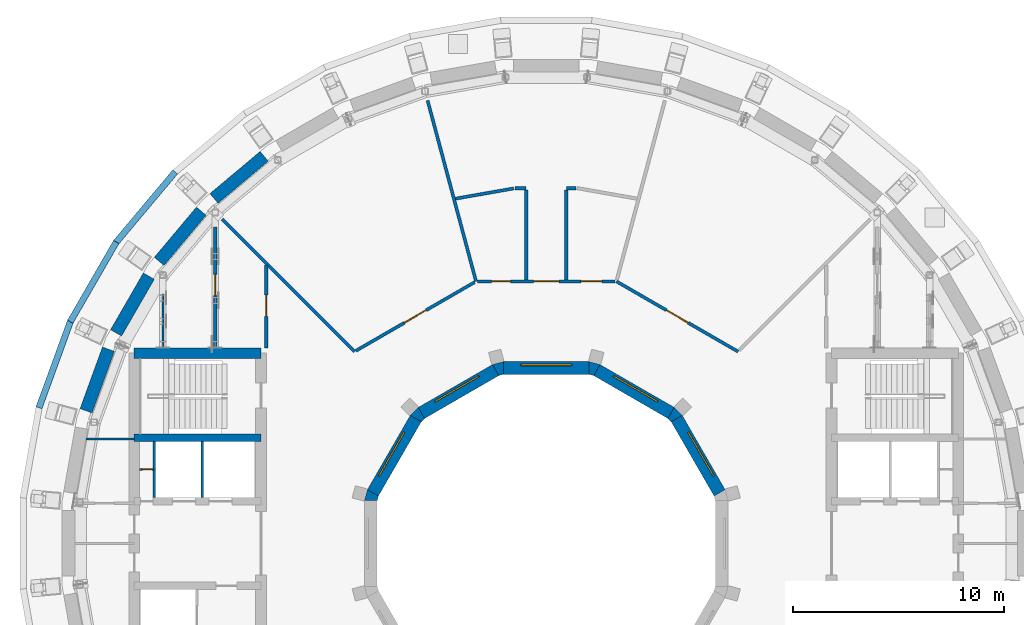
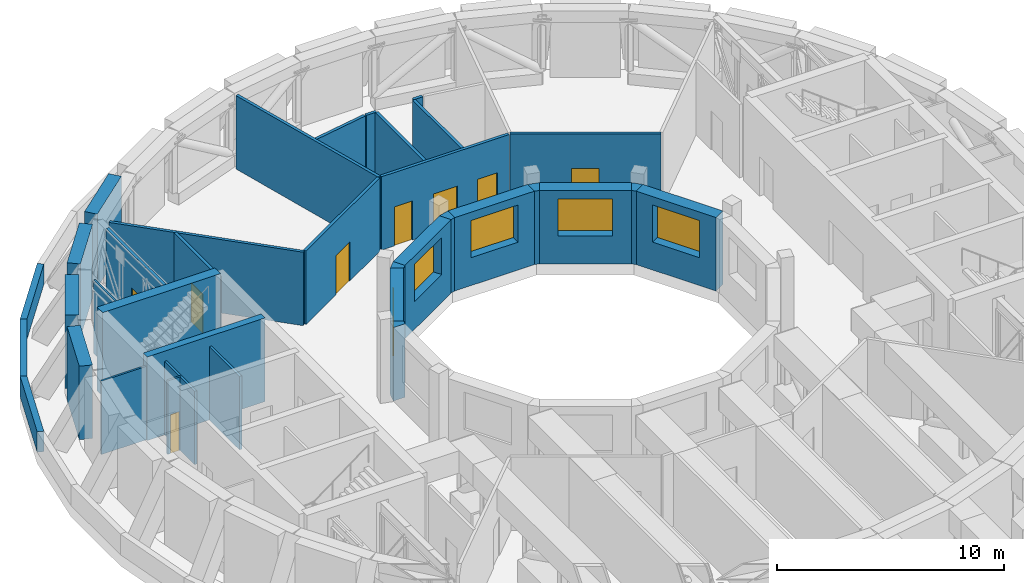
# One storey, part 14 of 20: 36 walls, 8 doors, 5 windows, 13 openings.
"""IFC4 building model written with IfcOpenShell, lengths in metres."""

from ifc_helpers import new_model, si_unit, direction, frame, frame_2d, origin, place, context, subcontext, project, spatial, polyline, rectangle, outline, extrude, material, layer, layer_set, type_object, element, fill, save


model = new_model("IFC4")

# Units and contexts
model_context = context("Model", 3, precision=1e-05, world=origin(), true_north=direction((0.0, 1.0)))
body_context = subcontext(model_context, "Body", "Model", "MODEL_VIEW")
ifc_project = project(units=[si_unit("LENGTHUNIT", "METRE"), si_unit("AREAUNIT", "SQUARE_METRE"), si_unit("VOLUMEUNIT", "CUBIC_METRE"), si_unit("PLANEANGLEUNIT", "RADIAN"), si_unit("MASSUNIT", "GRAM", prefix="KILO")], contexts=[model_context])

# Site, building, storey
site_placement = place(None, origin())
site = spatial("IfcSite", under=ifc_project, at=site_placement, CompositionType="ELEMENT")
building_placement = place(site_placement, origin())
building = spatial("IfcBuilding", under=site, at=building_placement, Name="Saqina Gate Tower", CompositionType="ELEMENT")
storey_placement = place(building_placement, frame((0.0, 0.0, 220.199951171875)))
storey = spatial("IfcBuildingStorey", under=building, at=storey_placement, Name="L63", CompositionType="ELEMENT", Elevation=220.199951171875)

# Wall, opening, door
ifc_material_1 = material(Name="Gypsum board on steel studs", Category="steel")
ifc_layer_1 = layer(ifc_material_1, 0.10009765625)
ifc_layer_set_1 = layer_set([ifc_layer_1], Name="CORE PARTITION")
wall_type_1 = type_object("IfcWallType", Name="CORE PARTITION", PredefinedType="PARTITIONING", material=ifc_layer_set_1)
wall_1_placement = place(storey_placement, frame((-18.56005859375, 3.5, 0.0), z_axis=(0.0, 0.0, 1.0), x_axis=(-1.0, 0.0, 0.0)))
wall_1 = element("IfcWall", 1, at=wall_1_placement, inside=storey, type_object=wall_type_1, Name="L63-CP-W01", PredefinedType="PARTITIONING", context=body_context, shape_type="SweptSolid", body=[
    extrude(rectangle(XDim=0.68994140625, YDim=0.10009765625, at=frame_2d((0.344970703125, 0.0))), origin(), (0.0, 0.0, 1.0), 3.949951171875),
])
opening_1_placement = place(wall_1_placement, frame((0.10009765625, 0.0, 0.0)))
opening_1 = element("IfcOpeningElement", 2, at=opening_1_placement, cuts=wall_1, Name="Opening L63-D105", PredefinedType="OPENING", context=body_context, shape_type="SweptSolid", body=[
    extrude(rectangle(XDim=0.449951171875, YDim=2.10009765625, at=frame_2d((0.22509765625, 1.050048828125))), frame((0.0, 0.06201171875, 0.0), z_axis=(0.0, -1.0, 0.0), x_axis=(1.0, 0.0, 0.0)), (0.0, 0.0, 1.0), 0.1240234375),
])
ifc_material_2 = material(Name="Steel-framed fire door leaf, EI 60", Category="steel")
door_type_1 = type_object("IfcDoorType", Name="SERVICE ROOM DOOR 450", OperationType="SINGLE_SWING_LEFT", PredefinedType="DOOR", material=ifc_material_2)
door_1_placement = place(opening_1_placement, origin())
door_1 = element("IfcDoor", 3, at=door_1_placement, inside=storey, type_object=door_type_1, Name="L63-CD-W16", OperationType="SINGLE_SWING_RIGHT", OverallHeight=2.10009765625, OverallWidth=0.449951171875, PredefinedType="DOOR", context=body_context, shape_type="SweptSolid", body=[
    extrude(rectangle(XDim=0.449951171875, YDim=2.10009765625, at=frame_2d((0.22509765625, 1.050048828125))), frame((0.0, 0.02490234375, 0.0), z_axis=(0.0, -1.0, 0.0), x_axis=(1.0, 0.0, 0.0)), (0.0, 0.0, 1.0), 0.050048828125),
])
fill(opening_1, door_1)

# Walls
wall_2_placement = place(storey_placement, frame((-19.5, 4.949951171875, 0.0), z_axis=(0.0, 0.0, 1.0), x_axis=(-1.0, 0.0, 0.0)))
element("IfcWall", 4, at=wall_2_placement, inside=storey, type_object=wall_type_1, Name="L63-CP-W02", PredefinedType="PARTITIONING", context=body_context, shape_type="SweptSolid", body=[
    extrude(rectangle(XDim=2.283935546875, YDim=0.10009765625, at=frame_2d((1.14208984375, 0.0))), origin(), (0.0, 0.0, 1.0), 3.949951171875),
])
ifc_material_3 = material(Name="Brick masonry (buff)", Category="masonry")
ifc_layer_2 = layer(ifc_material_3, 0.60009765625)
ifc_layer_set_2 = layer_set([ifc_layer_2], Name="FW-BRICK-BUFF")
wall_type_2 = type_object("IfcWallType", Name="FW-BRICK-BUFF", PredefinedType="SOLIDWALL", material=ifc_layer_set_2)
for number, where, z_axis, x_axis, name in (
    (5, (-13.34716796875, 18.31884765625, 0.0), (0.0, 0.0, 1.0), (-0.766055239099, -0.642774743319, 0.0), "Facade wall L63 facet 13"),
    (6, (-16.325439453125, 15.722900390625, 0.0), (0.0, 0.0, 1.0), (-0.642774743319, -0.766055239099, 0.0), "Facade wall L63 facet 14"),
    (7, (-18.8076171875, 12.649169921875, 0.0), (0.0, 0.0, 1.0), (-0.499974592989, -0.866040072032, 0.0), "Facade wall L63 facet 15"),
):
    element("IfcWall", number, at=place(storey_placement, frame(where, z_axis=z_axis, x_axis=x_axis)), inside=storey, type_object=wall_type_2, Name=name, PredefinedType="SOLIDWALL", context=body_context, shape_type="SweptSolid", body=[
        extrude(rectangle(XDim=3.101318359375, YDim=0.60009765625, at=frame_2d((1.55078125, 0.0))), origin(), (0.0, 0.0, 1.0), 3.949951171875),
    ])
ifc_material_4 = material(Name="Glazed ceramic tile", Category="ceramic")
ifc_layer_3 = layer(ifc_material_4, 0.60009765625)
ifc_layer_set_3 = layer_set([ifc_layer_3], Name="FW-TILE")
wall_type_3 = type_object("IfcWallType", Name="FW-TILE", PredefinedType="SOLIDWALL", material=ifc_layer_set_3)
wall_3_placement = place(storey_placement, frame((-20.718505859375, 9.19091796875, 0.0), z_axis=(0.0, 0.0, 1.0), x_axis=(-0.341995900855, -0.93970144397, 0.0)))
element("IfcWall", 8, at=wall_3_placement, inside=storey, type_object=wall_type_3, Name="Facade wall L63 facet 16", PredefinedType="SOLIDWALL", context=body_context, shape_type="SweptSolid", body=[
    extrude(rectangle(XDim=3.10107421875, YDim=0.60009765625, at=frame_2d((1.550537109375, 0.0))), origin(), (0.0, 0.0, 1.0), 3.949951171875),
])

# Wall, opening, window
ifc_material_5 = material(Name="Glazed ceramic tile", Category="ceramic")
ifc_layer_4 = layer(ifc_material_5, 0.60009765625)
ifc_layer_set_4 = layer_set([ifc_layer_4], Name="IW-TILE")
wall_type_4 = type_object("IfcWallType", Name="IW-TILE", PredefinedType="SOLIDWALL", material=ifc_layer_set_4)
wall_4_placement = place(storey_placement, frame((8.20263671875, 2.392578125, 0.0), z_axis=(0.0, 0.0, 1.0), x_axis=(-0.499994954979, 0.866028316509, 0.0)))
wall_4 = element("IfcWall", 9, at=wall_4_placement, inside=storey, type_object=wall_type_4, Name="Well wall L63 facet 1", PredefinedType="SOLIDWALL", context=body_context, shape_type="SweptSolid", body=[
    extrude(rectangle(XDim=4.05859375, YDim=0.60009765625, at=frame_2d((2.029296875, 0.0))), origin(), (0.0, 0.0, 1.0), 3.949951171875),
])
opening_2_placement = place(wall_4_placement, frame((0.829345703125, 0.0, 1.5)))
opening_2 = element("IfcOpeningElement", 10, at=opening_2_placement, cuts=wall_4, Name="Opening L63-W01", PredefinedType="OPENING", context=body_context, shape_type="SweptSolid", body=[
    extrude(rectangle(XDim=2.39990234375, YDim=2.0, at=frame_2d((1.199951171875, 1.0))), frame((0.0, 0.31201171875, 0.0), z_axis=(0.0, -1.0, 0.0), x_axis=(1.0, 0.0, 0.0)), (0.0, 0.0, 1.0), 0.6240234375),
])
ifc_material_6 = material(Name="Aluminium glazing", Category="aluminium")
window_type = type_object("IfcWindowType", Name="WN-P", PartitioningType="SINGLE_PANEL", PredefinedType="WINDOW", material=ifc_material_6)
window_1_placement = place(opening_2_placement, origin())
window_1 = element("IfcWindow", 11, at=window_1_placement, inside=storey, type_object=window_type, Name="Well window L63 facet 1", OverallHeight=2.0, OverallWidth=2.39990234375, PartitioningType="SINGLE_PANEL", PredefinedType="WINDOW", context=body_context, shape_type="SweptSolid", body=[
    extrude(rectangle(XDim=2.39990234375, YDim=2.0, at=frame_2d((1.199951171875, 1.0))), frame((0.0, -0.119873046875, 0.0), z_axis=(0.0, -1.0, 0.0), x_axis=(1.0, 0.0, 0.0)), (0.0, 0.0, 1.0), 0.06005859375),
])
fill(opening_2, window_1)

wall_5_placement = place(storey_placement, frame((5.907470703125, 6.17333984375, 0.0), z_axis=(0.0, 0.0, 1.0), x_axis=(-0.866028316509, 0.499994954979, 0.0)))
wall_5 = element("IfcWall", 12, at=wall_5_placement, inside=storey, type_object=wall_type_4, Name="Well wall L63 facet 2", PredefinedType="SOLIDWALL", context=body_context, shape_type="SweptSolid", body=[
    extrude(rectangle(XDim=4.05859375, YDim=0.60009765625, at=frame_2d((2.029296875, 0.0))), origin(), (0.0, 0.0, 1.0), 3.949951171875),
])
opening_3_placement = place(wall_5_placement, frame((0.829345703125, 0.0, 1.5)))
opening_3 = element("IfcOpeningElement", 13, at=opening_3_placement, cuts=wall_5, Name="Opening L63-W02", PredefinedType="OPENING", context=body_context, shape_type="SweptSolid", body=[
    extrude(rectangle(XDim=2.39990234375, YDim=2.0, at=frame_2d((1.199951171875, 1.0))), frame((0.0, 0.31201171875, 0.0), z_axis=(0.0, -1.0, 0.0), x_axis=(1.0, 0.0, 0.0)), (0.0, 0.0, 1.0), 0.6240234375),
])
window_2_placement = place(opening_3_placement, origin())
window_2 = element("IfcWindow", 14, at=window_2_placement, inside=storey, type_object=window_type, Name="Well window L63 facet 2", OverallHeight=2.0, OverallWidth=2.39990234375, PartitioningType="SINGLE_PANEL", PredefinedType="WINDOW", context=body_context, shape_type="SweptSolid", body=[
    extrude(rectangle(XDim=2.39990234375, YDim=2.0, at=frame_2d((1.199951171875, 1.0))), frame((0.0, -0.119873046875, 0.0), z_axis=(0.0, -1.0, 0.0), x_axis=(1.0, 0.0, 0.0)), (0.0, 0.0, 1.0), 0.06005859375),
])
fill(opening_3, window_2)

wall_6_placement = place(storey_placement, frame((2.029296875, 8.300048828125, 0.0), z_axis=(0.0, 0.0, 1.0), x_axis=(-1.0, 0.0, 0.0)))
wall_6 = element("IfcWall", 15, at=wall_6_placement, inside=storey, type_object=wall_type_4, Name="Well wall L63 facet 3", PredefinedType="SOLIDWALL", context=body_context, shape_type="SweptSolid", body=[
    extrude(rectangle(XDim=4.05859375, YDim=0.60009765625, at=frame_2d((2.029296875, 0.0))), origin(), (0.0, 0.0, 1.0), 3.949951171875),
])
opening_4_placement = place(wall_6_placement, frame((0.829345703125, 0.0, 1.5)))
opening_4 = element("IfcOpeningElement", 16, at=opening_4_placement, cuts=wall_6, Name="Opening L63-W03", PredefinedType="OPENING", context=body_context, shape_type="SweptSolid", body=[
    extrude(rectangle(XDim=2.39990234375, YDim=2.0, at=frame_2d((1.199951171875, 1.0))), frame((0.0, 0.31201171875, 0.0), z_axis=(0.0, -1.0, 0.0), x_axis=(1.0, 0.0, 0.0)), (0.0, 0.0, 1.0), 0.6240234375),
])
window_3_placement = place(opening_4_placement, origin())
window_3 = element("IfcWindow", 17, at=window_3_placement, inside=storey, type_object=window_type, Name="Well window L63 facet 3", OverallHeight=2.0, OverallWidth=2.39990234375, PartitioningType="SINGLE_PANEL", PredefinedType="WINDOW", context=body_context, shape_type="SweptSolid", body=[
    extrude(rectangle(XDim=2.39990234375, YDim=2.0, at=frame_2d((1.199951171875, 1.0))), frame((0.0, -0.119873046875, 0.0), z_axis=(0.0, -1.0, 0.0), x_axis=(1.0, 0.0, 0.0)), (0.0, 0.0, 1.0), 0.06005859375),
])
fill(opening_4, window_3)

wall_7_placement = place(storey_placement, frame((-2.392578125, 8.20263671875, 0.0), z_axis=(0.0, 0.0, 1.0), x_axis=(-0.866028316509, -0.499994954979, 0.0)))
wall_7 = element("IfcWall", 18, at=wall_7_placement, inside=storey, type_object=wall_type_4, Name="Well wall L63 facet 4", PredefinedType="SOLIDWALL", context=body_context, shape_type="SweptSolid", body=[
    extrude(rectangle(XDim=4.05859375, YDim=0.60009765625, at=frame_2d((2.029296875, 0.0))), origin(), (0.0, 0.0, 1.0), 3.949951171875),
])
opening_5_placement = place(wall_7_placement, frame((0.829345703125, 0.0, 1.5)))
opening_5 = element("IfcOpeningElement", 19, at=opening_5_placement, cuts=wall_7, Name="Opening L63-W04", PredefinedType="OPENING", context=body_context, shape_type="SweptSolid", body=[
    extrude(rectangle(XDim=2.39990234375, YDim=2.0, at=frame_2d((1.199951171875, 1.0))), frame((0.0, 0.31201171875, 0.0), z_axis=(0.0, -1.0, 0.0), x_axis=(1.0, 0.0, 0.0)), (0.0, 0.0, 1.0), 0.6240234375),
])
window_4_placement = place(opening_5_placement, origin())
window_4 = element("IfcWindow", 20, at=window_4_placement, inside=storey, type_object=window_type, Name="Well window L63 facet 4", OverallHeight=2.0, OverallWidth=2.39990234375, PartitioningType="SINGLE_PANEL", PredefinedType="WINDOW", context=body_context, shape_type="SweptSolid", body=[
    extrude(rectangle(XDim=2.39990234375, YDim=2.0, at=frame_2d((1.199951171875, 1.0))), frame((0.0, -0.119873046875, 0.0), z_axis=(0.0, -1.0, 0.0), x_axis=(1.0, 0.0, 0.0)), (0.0, 0.0, 1.0), 0.06005859375),
])
fill(opening_5, window_4)

wall_8_placement = place(storey_placement, frame((-6.17333984375, 5.907470703125, 0.0), z_axis=(0.0, 0.0, 1.0), x_axis=(-0.499994954979, -0.866028316509, 0.0)))
wall_8 = element("IfcWall", 21, at=wall_8_placement, inside=storey, type_object=wall_type_4, Name="Well wall L63 facet 5", PredefinedType="SOLIDWALL", context=body_context, shape_type="SweptSolid", body=[
    extrude(rectangle(XDim=4.05859375, YDim=0.60009765625, at=frame_2d((2.029296875, 0.0))), origin(), (0.0, 0.0, 1.0), 3.949951171875),
])
opening_6_placement = place(wall_8_placement, frame((0.829345703125, 0.0, 1.5)))
opening_6 = element("IfcOpeningElement", 22, at=opening_6_placement, cuts=wall_8, Name="Opening L63-W05", PredefinedType="OPENING", context=body_context, shape_type="SweptSolid", body=[
    extrude(rectangle(XDim=2.39990234375, YDim=2.0, at=frame_2d((1.199951171875, 1.0))), frame((0.0, 0.31201171875, 0.0), z_axis=(0.0, -1.0, 0.0), x_axis=(1.0, 0.0, 0.0)), (0.0, 0.0, 1.0), 0.6240234375),
])
window_5_placement = place(opening_6_placement, origin())
window_5 = element("IfcWindow", 23, at=window_5_placement, inside=storey, type_object=window_type, Name="Well window L63 facet 5", OverallHeight=2.0, OverallWidth=2.39990234375, PartitioningType="SINGLE_PANEL", PredefinedType="WINDOW", context=body_context, shape_type="SweptSolid", body=[
    extrude(rectangle(XDim=2.39990234375, YDim=2.0, at=frame_2d((1.199951171875, 1.0))), frame((0.0, -0.119873046875, 0.0), z_axis=(0.0, -1.0, 0.0), x_axis=(1.0, 0.0, 0.0)), (0.0, 0.0, 1.0), 0.06005859375),
])
fill(opening_6, window_5)

# Walls
ifc_material_7 = material(Name="Brick masonry (buff)", Category="masonry")
ifc_layer_5 = layer(ifc_material_7, 0.300048828125)
ifc_layer_set_5 = layer_set([ifc_layer_5], Name="PA-ROOF")
wall_type_5 = type_object("IfcWallType", Name="PA-ROOF", PredefinedType="PARAPET", material=ifc_layer_set_5)
for number, where, z_axis, x_axis, name in (
    (24, (-17.562744140625, 17.581298828125, 0.0), (0.0, 0.0, 1.0), (-0.642792594925, -0.76604025998, 0.0), "Parapet L63 edge 14"),
    (25, (-20.348876953125, 14.264404296875, 0.0), (0.0, 0.0, 1.0), (-0.500013426303, -0.866017651966, 0.0), "Parapet L63 edge 15"),
):
    element("IfcWall", number, at=place(storey_placement, frame(where, z_axis=z_axis, x_axis=x_axis)), inside=storey, type_object=wall_type_5, Name=name, PredefinedType="PARAPET", context=body_context, shape_type="SweptSolid", body=[
        extrude(rectangle(XDim=4.35791015625, YDim=0.300048828125, at=frame_2d((2.178955078125, 0.0))), origin(), (0.0, 0.0, 1.0), 1.10009765625),
    ])
wall_9_placement = place(storey_placement, frame((-22.5166015625, 10.51416015625, 0.0), z_axis=(0.0, 0.0, 1.0), x_axis=(-0.342026438957, -0.93969032934, 0.0)))
element("IfcWall", 26, at=wall_9_placement, inside=storey, type_object=wall_type_5, Name="Parapet L63 edge 16", PredefinedType="PARAPET", context=body_context, shape_type="SweptSolid", body=[
    extrude(rectangle(XDim=4.357666015625, YDim=0.300048828125, at=frame_2d((2.1787109375, 0.0))), origin(), (0.0, 0.0, 1.0), 1.10009765625),
])
ifc_material_8 = material(Name="Autoclaved aerated concrete block", Category="concrete")
ifc_layer_6 = layer(ifc_material_8, 0.1201171875)
ifc_layer_set_6 = layer_set([ifc_layer_6], Name="SHAFT PARTITION")
wall_type_6 = type_object("IfcWallType", Name="SHAFT PARTITION", PredefinedType="PARTITIONING", material=ifc_layer_set_6)
for number, where, z_axis, x_axis, name in (
    (27, (-16.280029296875, 2.175048828125, 0.0), (0.0, 0.0, 1.0), (0.0, 1.0, 0.0), "L63-CP-W06"),
    (28, (-18.56005859375, 2.175048828125, 0.0), (0.0, 0.0, 1.0), (0.0, 1.0, 0.0), "L63-CP-W07"),
):
    element("IfcWall", number, at=place(storey_placement, frame(where, z_axis=z_axis, x_axis=x_axis)), inside=storey, type_object=wall_type_6, Name=name, PredefinedType="PARTITIONING", context=body_context, shape_type="SweptSolid", body=[
        extrude(rectangle(XDim=2.64990234375, YDim=0.1201171875, at=frame_2d((1.324951171875, 0.0))), origin(), (0.0, 0.0, 1.0), 3.949951171875),
    ])
ifc_material_9 = material(Name="Gypsum board on steel studs, 100 mm", Category="steel")
ifc_layer_7 = layer(ifc_material_9, 0.10009765625)
ifc_layer_set_7 = layer_set([ifc_layer_7], Name="SPECIAL PARTITION 100")
wall_type_7 = type_object("IfcWallType", Name="SPECIAL PARTITION 100", PredefinedType="PARTITIONING", material=ifc_layer_set_7)
wall_10_placement = place(storey_placement, frame((-18.14404296875, 9.25, 0.0), z_axis=(0.0, 0.0, 1.0), x_axis=(0.0, 1.0, 0.0)))
element("IfcWall", 29, at=wall_10_placement, inside=storey, type_object=wall_type_7, Name="PARTITION 038", PredefinedType="PARTITIONING", context=body_context, shape_type="SweptSolid", body=[
    extrude(rectangle(XDim=2.55908203125, YDim=0.10009765625, at=frame_2d((1.279541015625, 0.0))), origin(), (0.0, 0.0, 1.0), 3.949951171875),
])
ifc_material_10 = material(Name="Masonry block and plaster, 150 mm, fire rated", Category="masonry")
ifc_layer_8 = layer(ifc_material_10, 0.14990234375)
ifc_layer_set_8 = layer_set([ifc_layer_8], Name="SPECIAL PARTITION EI 60 150")
wall_type_8 = type_object("IfcWallType", Name="SPECIAL PARTITION EI 60 150", PredefinedType="PARTITIONING", material=ifc_layer_set_8)
for number, where, z_axis, x_axis, name in (
    (30, (-5.61572265625, 20.961181640625, 0.0), (0.0, 0.0, 1.0), (0.258686057562, -0.965961450381, 0.0), "PARTITION 001"),
    (31, (-15.343994140625, 15.343994140625, 0.0), (0.0, 0.0, 1.0), (0.707106781187, -0.707106781187, 0.0), "PARTITION 002"),
):
    element("IfcWall", number, at=place(storey_placement, frame(where, z_axis=z_axis, x_axis=x_axis)), inside=storey, type_object=wall_type_8, Name=name, PredefinedType="PARTITIONING", context=body_context, shape_type="SweptSolid", body=[
        extrude(rectangle(XDim=8.863037109375, YDim=0.14990234375, at=frame_2d((4.431640625, 0.0))), origin(), (0.0, 0.0, 1.0), 3.949951171875),
    ])

# Wall, opening, door
wall_11_placement = place(storey_placement, frame((3.322998046875, 12.39990234375, 0.0), z_axis=(0.0, 0.0, 1.0), x_axis=(0.865961614908, -0.500110469302, 0.0)))
wall_11 = element("IfcWall", 32, at=wall_11_placement, inside=storey, type_object=wall_type_8, Name="PARTITION 005", PredefinedType="PARTITIONING", context=body_context, shape_type="SweptSolid", body=[
    extrude(rectangle(XDim=6.64453125, YDim=0.14990234375, at=frame_2d((3.322265625, 0.0))), origin(), (0.0, 0.0, 1.0), 3.949951171875),
])
opening_7_placement = place(wall_11_placement, frame((2.722412109375, 0.0, 0.0)))
opening_7 = element("IfcOpeningElement", 33, at=opening_7_placement, cuts=wall_11, Name="Opening L63-D03", PredefinedType="OPENING", context=body_context, shape_type="SweptSolid", body=[
    extrude(rectangle(XDim=1.199951171875, YDim=2.10009765625, at=frame_2d((0.60009765625, 1.050048828125))), frame((0.0, 0.0869140625, 0.0), z_axis=(0.0, -1.0, 0.0), x_axis=(1.0, 0.0, 0.0)), (0.0, 0.0, 1.0), 0.173828125),
])
ifc_material_11 = material(Name="Steel-framed fire door leaf, EI 60", Category="steel")
door_type_2 = type_object("IfcDoorType", Name="SPECIAL DOOR 1200 FIRE EI 60", OperationType="SINGLE_SWING_LEFT", PredefinedType="DOOR", material=ifc_material_11)
door_2_placement = place(opening_7_placement, frame((1.199951171875, 0.0, 0.0), z_axis=(0.0, 0.0, 1.0), x_axis=(-1.0, 0.0, 0.0)))
door_2 = element("IfcDoor", 34, at=door_2_placement, inside=storey, type_object=door_type_2, Name="DOOR L63-D03", OperationType="SINGLE_SWING_RIGHT", OverallHeight=2.10009765625, OverallWidth=1.199951171875, PredefinedType="DOOR", context=body_context, shape_type="SweptSolid", body=[
    extrude(rectangle(XDim=1.199951171875, YDim=2.10009765625, at=frame_2d((0.60009765625, 1.050048828125))), frame((0.0, 0.02490234375, 0.0), z_axis=(0.0, -1.0, 0.0), x_axis=(1.0, 0.0, 0.0)), (0.0, 0.0, 1.0), 0.050048828125),
])
fill(opening_7, door_2)

# Wall, openings, doors
wall_12_placement = place(storey_placement, frame((-3.248046875, 12.39990234375, 0.0), z_axis=(0.0, 0.0, 1.0), x_axis=(1.0, 0.0, 0.0)))
wall_12 = element("IfcWall", 35, at=wall_12_placement, inside=storey, type_object=wall_type_8, Name="PARTITION 008", PredefinedType="PARTITIONING", context=body_context, shape_type="SweptSolid", body=[
    extrude(rectangle(XDim=6.49609375, YDim=0.14990234375, at=frame_2d((3.248046875, 0.0))), origin(), (0.0, 0.0, 1.0), 3.949951171875),
])
opening_8_placement = place(wall_12_placement, frame((4.884521484375, 0.0, 0.0)))
opening_8 = element("IfcOpeningElement", 36, at=opening_8_placement, cuts=wall_12, Name="Opening L63-D04", PredefinedType="OPENING", context=body_context, shape_type="SweptSolid", body=[
    extrude(rectangle(XDim=1.0, YDim=2.10009765625, at=frame_2d((0.5, 1.050048828125))), frame((0.0, 0.0869140625, 0.0), z_axis=(0.0, -1.0, 0.0), x_axis=(1.0, 0.0, 0.0)), (0.0, 0.0, 1.0), 0.173828125),
])
opening_9_placement = place(wall_12_placement, frame((2.64794921875, 0.0, 0.0)))
opening_9 = element("IfcOpeningElement", 37, at=opening_9_placement, cuts=wall_12, Name="Opening L63-D05", PredefinedType="OPENING", context=body_context, shape_type="SweptSolid", body=[
    extrude(rectangle(XDim=1.199951171875, YDim=2.10009765625, at=frame_2d((0.60009765625, 1.050048828125))), frame((0.0, 0.0869140625, 0.0), z_axis=(0.0, -1.0, 0.0), x_axis=(1.0, 0.0, 0.0)), (0.0, 0.0, 1.0), 0.173828125),
])
opening_10_placement = place(wall_12_placement, frame((0.66162109375, 0.0, 0.0)))
opening_10 = element("IfcOpeningElement", 38, at=opening_10_placement, cuts=wall_12, Name="Opening L63-D06", PredefinedType="OPENING", context=body_context, shape_type="SweptSolid", body=[
    extrude(rectangle(XDim=0.89990234375, YDim=2.10009765625, at=frame_2d((0.449951171875, 1.050048828125))), frame((0.0, 0.0869140625, 0.0), z_axis=(0.0, -1.0, 0.0), x_axis=(1.0, 0.0, 0.0)), (0.0, 0.0, 1.0), 0.173828125),
])
ifc_material_12 = material(Name="Steel-framed fire door leaf, EI 60", Category="steel")
door_type_3 = type_object("IfcDoorType", Name="SPECIAL DOOR 1000 FIRE EI 60", OperationType="SINGLE_SWING_LEFT", PredefinedType="DOOR", material=ifc_material_12)
door_3_placement = place(opening_8_placement, origin())
door_3 = element("IfcDoor", 39, at=door_3_placement, inside=storey, type_object=door_type_3, Name="DOOR L63-D04", OperationType="SINGLE_SWING_RIGHT", OverallHeight=2.10009765625, OverallWidth=1.0, PredefinedType="DOOR", context=body_context, shape_type="SweptSolid", body=[
    extrude(rectangle(XDim=1.0, YDim=2.10009765625, at=frame_2d((0.5, 1.050048828125))), frame((0.0, 0.02490234375, 0.0), z_axis=(0.0, -1.0, 0.0), x_axis=(1.0, 0.0, 0.0)), (0.0, 0.0, 1.0), 0.050048828125),
])
fill(opening_8, door_3)
door_4_placement = place(opening_9_placement, origin())
door_4 = element("IfcDoor", 40, at=door_4_placement, inside=storey, type_object=door_type_2, Name="DOOR L63-D05", OperationType="SINGLE_SWING_LEFT", OverallHeight=2.10009765625, OverallWidth=1.199951171875, PredefinedType="DOOR", context=body_context, shape_type="SweptSolid", body=[
    extrude(rectangle(XDim=1.199951171875, YDim=2.10009765625, at=frame_2d((0.60009765625, 1.050048828125))), frame((0.0, 0.02490234375, 0.0), z_axis=(0.0, -1.0, 0.0), x_axis=(1.0, 0.0, 0.0)), (0.0, 0.0, 1.0), 0.050048828125),
])
fill(opening_9, door_4)
ifc_material_13 = material(Name="Steel-framed fire door leaf, EI 60", Category="steel")
door_type_4 = type_object("IfcDoorType", Name="SPECIAL DOOR 900 FIRE EI 60", OperationType="SINGLE_SWING_LEFT", PredefinedType="DOOR", material=ifc_material_13)
door_5_placement = place(opening_10_placement, origin())
door_5 = element("IfcDoor", 41, at=door_5_placement, inside=storey, type_object=door_type_4, Name="DOOR L63-D06", OperationType="SINGLE_SWING_LEFT", OverallHeight=2.10009765625, OverallWidth=0.89990234375, PredefinedType="DOOR", context=body_context, shape_type="SweptSolid", body=[
    extrude(rectangle(XDim=0.89990234375, YDim=2.10009765625, at=frame_2d((0.449951171875, 1.050048828125))), frame((0.0, 0.02490234375, 0.0), z_axis=(0.0, -1.0, 0.0), x_axis=(1.0, 0.0, 0.0)), (0.0, 0.0, 1.0), 0.050048828125),
])
fill(opening_10, door_5)

# Walls
wall_13_placement = place(storey_placement, frame((-1.470947265625, 16.81201171875, 0.0), z_axis=(0.0, 0.0, 1.0), x_axis=(1.0, 0.0, 0.0)))
element("IfcWall", 42, at=wall_13_placement, inside=storey, type_object=wall_type_8, Name="PARTITION 009", PredefinedType="PARTITIONING", context=body_context, shape_type="SweptSolid", body=[
    extrude(rectangle(XDim=0.52099609375, YDim=0.14990234375, at=frame_2d((0.260498046875, 0.0))), origin(), (0.0, 0.0, 1.0), 3.949951171875),
])
wall_14_placement = place(storey_placement, frame((0.949951171875, 16.81201171875, 0.0), z_axis=(0.0, 0.0, 1.0), x_axis=(1.0, 0.0, 0.0)))
element("IfcWall", 43, at=wall_14_placement, inside=storey, type_object=wall_type_8, Name="PARTITION 010", PredefinedType="PARTITIONING", context=body_context, shape_type="SweptSolid", body=[
    extrude(rectangle(XDim=0.446044921875, YDim=0.14990234375, at=frame_2d((0.22314453125, 0.0))), origin(), (0.0, 0.0, 1.0), 3.949951171875),
])
wall_15_placement = place(storey_placement, frame((-4.294189453125, 16.31494140625, 0.0), z_axis=(0.0, 0.0, 1.0), x_axis=(0.984846884542, 0.173426105323, 0.0)))
element("IfcWall", 44, at=wall_15_placement, inside=storey, type_object=wall_type_8, Name="PARTITION 011", PredefinedType="PARTITIONING", context=body_context, shape_type="SweptSolid", body=[
    extrude(rectangle(XDim=2.79150390625, YDim=0.14990234375, at=frame_2d((1.395751953125, 0.0))), origin(), (0.0, 0.0, 1.0), 3.949951171875),
])

# Wall, opening, door
wall_16_placement = place(storey_placement, frame((-9.01220703125, 9.114501953125, 0.0), z_axis=(0.0, 0.0, 1.0), x_axis=(0.865967095912, 0.5001009786, 0.0)))
wall_16 = element("IfcWall", 45, at=wall_16_placement, inside=storey, type_object=wall_type_8, Name="PARTITION 013", PredefinedType="PARTITIONING", context=body_context, shape_type="SweptSolid", body=[
    extrude(rectangle(XDim=6.494873046875, YDim=0.14990234375, at=frame_2d((3.24755859375, 0.0))), origin(), (0.0, 0.0, 1.0), 3.949951171875),
])
opening_11_placement = place(wall_16_placement, frame((2.647216796875, 0.0, 0.0)))
opening_11 = element("IfcOpeningElement", 46, at=opening_11_placement, cuts=wall_16, Name="Opening L63-D07", PredefinedType="OPENING", context=body_context, shape_type="SweptSolid", body=[
    extrude(rectangle(XDim=1.199951171875, YDim=2.10009765625, at=frame_2d((0.60009765625, 1.050048828125))), frame((0.0, 0.0869140625, 0.0), z_axis=(0.0, -1.0, 0.0), x_axis=(1.0, 0.0, 0.0)), (0.0, 0.0, 1.0), 0.173828125),
])
door_6_placement = place(opening_11_placement, frame((1.199951171875, 0.0, 0.0), z_axis=(0.0, 0.0, 1.0), x_axis=(-1.0, 0.0, 0.0)))
door_6 = element("IfcDoor", 47, at=door_6_placement, inside=storey, type_object=door_type_2, Name="DOOR L63-D07", OperationType="SINGLE_SWING_RIGHT", OverallHeight=2.10009765625, OverallWidth=1.199951171875, PredefinedType="DOOR", context=body_context, shape_type="SweptSolid", body=[
    extrude(rectangle(XDim=1.199951171875, YDim=2.10009765625, at=frame_2d((0.60009765625, 1.050048828125))), frame((0.0, 0.02490234375, 0.0), z_axis=(0.0, -1.0, 0.0), x_axis=(1.0, 0.0, 0.0)), (0.0, 0.0, 1.0), 0.050048828125),
])
fill(opening_11, door_6)

# Walls
for number, where, z_axis, x_axis, name in (
    (48, (0.949951171875, 12.47509765625, 0.0), (0.0, 0.0, 1.0), (0.0, 1.0, 0.0), "PARTITION 027"),
    (49, (-0.949951171875, 12.47509765625, 0.0), (0.0, 0.0, 1.0), (0.0, 1.0, 0.0), "PARTITION 028"),
):
    element("IfcWall", number, at=place(storey_placement, frame(where, z_axis=z_axis, x_axis=x_axis)), inside=storey, type_object=wall_type_8, Name=name, PredefinedType="PARTITIONING", context=body_context, shape_type="SweptSolid", body=[
        extrude(rectangle(XDim=4.261962890625, YDim=0.14990234375, at=frame_2d((2.130859375, 0.0))), origin(), (0.0, 0.0, 1.0), 3.949951171875),
    ])

# Wall, opening, door
wall_17_placement = place(storey_placement, frame((-13.25, 9.25, 0.0), z_axis=(0.0, 0.0, 1.0), x_axis=(0.0, 1.0, 0.0)))
wall_17 = element("IfcWall", 50, at=wall_17_placement, inside=storey, type_object=wall_type_8, Name="PARTITION 034", PredefinedType="PARTITIONING", context=body_context, shape_type="SweptSolid", body=[
    extrude(rectangle(XDim=3.925048828125, YDim=0.14990234375, at=frame_2d((1.96240234375, 0.0))), origin(), (0.0, 0.0, 1.0), 3.949951171875),
])
opening_12_placement = place(wall_17_placement, frame((1.5, 0.0, 0.0)))
opening_12 = element("IfcOpeningElement", 51, at=opening_12_placement, cuts=wall_17, Name="Opening L63-D08", PredefinedType="OPENING", context=body_context, shape_type="SweptSolid", body=[
    extrude(rectangle(XDim=1.0, YDim=2.10009765625, at=frame_2d((0.5, 1.050048828125))), frame((0.0, 0.0869140625, 0.0), z_axis=(0.0, -1.0, 0.0), x_axis=(1.0, 0.0, 0.0)), (0.0, 0.0, 1.0), 0.173828125),
])
door_7_placement = place(opening_12_placement, origin())
door_7 = element("IfcDoor", 52, at=door_7_placement, inside=storey, type_object=door_type_3, Name="DOOR L63-D08", OperationType="SINGLE_SWING_RIGHT", OverallHeight=2.10009765625, OverallWidth=1.0, PredefinedType="DOOR", context=body_context, shape_type="SweptSolid", body=[
    extrude(rectangle(XDim=1.0, YDim=2.10009765625, at=frame_2d((0.5, 1.050048828125))), frame((0.0, 0.02490234375, 0.0), z_axis=(0.0, -1.0, 0.0), x_axis=(1.0, 0.0, 0.0)), (0.0, 0.0, 1.0), 0.050048828125),
])
fill(opening_12, door_7)

wall_18_placement = place(storey_placement, frame((-15.662109375, 9.25, 0.0), z_axis=(0.0, 0.0, 1.0), x_axis=(0.0, 1.0, 0.0)))
wall_18 = element("IfcWall", 53, at=wall_18_placement, inside=storey, type_object=wall_type_8, Name="PARTITION 036", PredefinedType="PARTITIONING", context=body_context, shape_type="SweptSolid", body=[
    extrude(rectangle(XDim=5.715087890625, YDim=0.14990234375, at=frame_2d((2.857421875, 0.0))), origin(), (0.0, 0.0, 1.0), 3.949951171875),
])
opening_13_placement = place(wall_18_placement, frame((2.47998046875, 0.0, 0.0)))
opening_13 = element("IfcOpeningElement", 54, at=opening_13_placement, cuts=wall_18, Name="Opening L63-D09", PredefinedType="OPENING", context=body_context, shape_type="SweptSolid", body=[
    extrude(rectangle(XDim=1.0, YDim=2.10009765625, at=frame_2d((0.5, 1.050048828125))), frame((0.0, 0.0869140625, 0.0), z_axis=(0.0, -1.0, 0.0), x_axis=(1.0, 0.0, 0.0)), (0.0, 0.0, 1.0), 0.173828125),
])
door_8_placement = place(opening_13_placement, frame((1.0, 0.0, 0.0), z_axis=(0.0, 0.0, 1.0), x_axis=(-1.0, 0.0, 0.0)))
door_8 = element("IfcDoor", 55, at=door_8_placement, inside=storey, type_object=door_type_3, Name="DOOR L63-D09", OperationType="SINGLE_SWING_LEFT", OverallHeight=2.10009765625, OverallWidth=1.0, PredefinedType="DOOR", context=body_context, shape_type="SweptSolid", body=[
    extrude(rectangle(XDim=1.0, YDim=2.10009765625, at=frame_2d((0.5, 1.050048828125))), frame((0.0, 0.02490234375, 0.0), z_axis=(0.0, -1.0, 0.0), x_axis=(1.0, 0.0, 0.0)), (0.0, 0.0, 1.0), 0.050048828125),
])
fill(opening_13, door_8)

# Walls
ifc_material_14 = material(Name="Concrete C60/75", Category="concrete")
ifc_layer_9 = layer(ifc_material_14, 0.35009765625)
ifc_layer_set_9 = layer_set([ifc_layer_9], Name="Concrete C60/75")
wall_type_9 = type_object("IfcWallType", Name="STR-CORE WALL-D-I", PredefinedType="SHEAR", material=ifc_layer_set_9)
wall_19_placement = place(storey_placement, frame((-13.5, 5.0, 0.0), z_axis=(0.0, 0.0, 1.0), x_axis=(-1.0, 0.0, 0.0)))
element("IfcWall", 56, at=wall_19_placement, inside=storey, type_object=wall_type_9, Name="CORE WALL L63 W-X1", PredefinedType="SHEAR", context=body_context, shape_type="SweptSolid", body=[
    extrude(rectangle(XDim=6.0, YDim=0.35009765625, at=frame_2d((3.0, 0.0))), origin(), (0.0, 0.0, 1.0), 4.5),
])
ifc_material_15 = material(Name="Concrete C60/75", Category="concrete")
ifc_layer_10 = layer(ifc_material_15, 0.5)
ifc_layer_set_10 = layer_set([ifc_layer_10], Name="Concrete C60/75")
wall_type_10 = type_object("IfcWallType", Name="STR-CORE WALL-D-O", PredefinedType="SHEAR", material=ifc_layer_set_10)
wall_20_placement = place(storey_placement, frame((-13.5, 9.0, 0.0), z_axis=(0.0, 0.0, 1.0), x_axis=(-1.0, 0.0, 0.0)))
element("IfcWall", 57, at=wall_20_placement, inside=storey, type_object=wall_type_10, Name="CORE WALL L63 W-NE", PredefinedType="SHEAR", context=body_context, shape_type="SweptSolid", body=[
    extrude(rectangle(XDim=6.0, YDim=0.5, at=frame_2d((3.0, 0.0))), origin(), (0.0, 0.0, 1.0), 4.5),
])
ifc_material_16 = material(Name="Glazed ceramic tile", Category="ceramic")
wall_type_11 = type_object("IfcWallType", Name="TILE PIER COPING", PredefinedType="SOLIDWALL", material=ifc_material_16)
wall_21_placement = place(storey_placement, origin())
element("IfcWall", 58, at=wall_21_placement, inside=storey, type_object=wall_type_11, Name="Well pier cap L63 column 2", PredefinedType="SOLIDWALL", context=body_context, shape_type="SweptSolid", body=[
    extrude(outline(polyline([(6.0576171875, 6.43310546875), (5.757568359375, 5.91357421875), (5.91357421875, 5.757568359375), (6.43310546875, 6.0576171875), (6.0576171875, 6.43310546875)])), origin(), (0.0, 0.0, 1.0), 3.949951171875),
])
wall_22_placement = place(storey_placement, origin())
element("IfcWall", 59, at=wall_22_placement, inside=storey, type_object=wall_type_11, Name="Well pier cap L63 column 3", PredefinedType="SOLIDWALL", context=body_context, shape_type="SweptSolid", body=[
    extrude(outline(polyline([(2.029296875, 8.60009765625), (2.029296875, 8.0), (2.242431640625, 7.94287109375), (2.54248046875, 8.46240234375), (2.029296875, 8.60009765625)])), origin(), (0.0, 0.0, 1.0), 3.949951171875),
])
wall_23_placement = place(storey_placement, origin())
element("IfcWall", 60, at=wall_23_placement, inside=storey, type_object=wall_type_11, Name="Well pier cap L63 column 4", PredefinedType="SOLIDWALL", context=body_context, shape_type="SweptSolid", body=[
    extrude(outline(polyline([(-2.54248046875, 8.46240234375), (-2.242431640625, 7.94287109375), (-2.029296875, 8.0), (-2.029296875, 8.60009765625), (-2.54248046875, 8.46240234375)])), origin(), (0.0, 0.0, 1.0), 3.949951171875),
])
wall_24_placement = place(storey_placement, origin())
element("IfcWall", 61, at=wall_24_placement, inside=storey, type_object=wall_type_11, Name="Well pier cap L63 column 5", PredefinedType="SOLIDWALL", context=body_context, shape_type="SweptSolid", body=[
    extrude(outline(polyline([(-6.43310546875, 6.0576171875), (-5.91357421875, 5.757568359375), (-5.757568359375, 5.91357421875), (-6.0576171875, 6.43310546875), (-6.43310546875, 6.0576171875)])), origin(), (0.0, 0.0, 1.0), 3.949951171875),
])
wall_25_placement = place(storey_placement, origin())
element("IfcWall", 62, at=wall_25_placement, inside=storey, type_object=wall_type_11, Name="Well pier cap L63 column 6", PredefinedType="SOLIDWALL", context=body_context, shape_type="SweptSolid", body=[
    extrude(outline(polyline([(-8.60009765625, 2.029296875), (-8.0, 2.029296875), (-7.94287109375, 2.242431640625), (-8.46240234375, 2.54248046875), (-8.60009765625, 2.029296875)])), origin(), (0.0, 0.0, 1.0), 3.949951171875),
])

save(model, "model.ifc")
